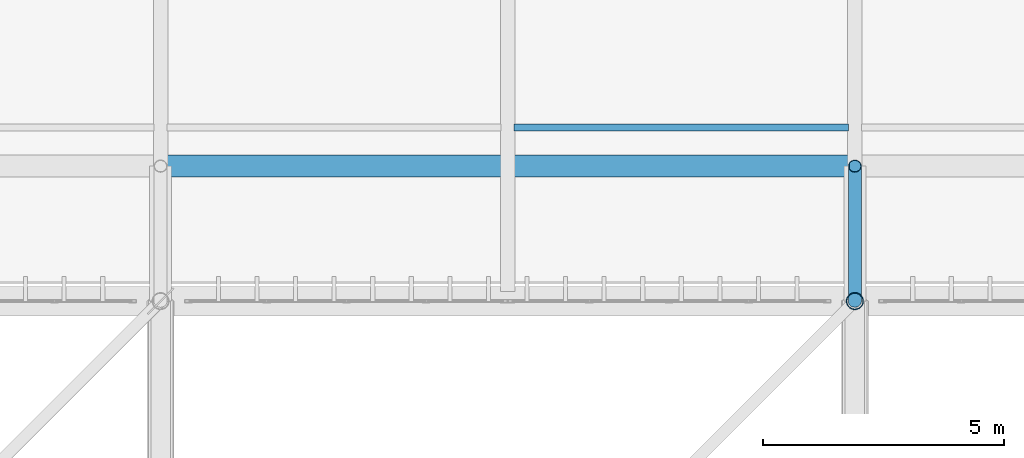
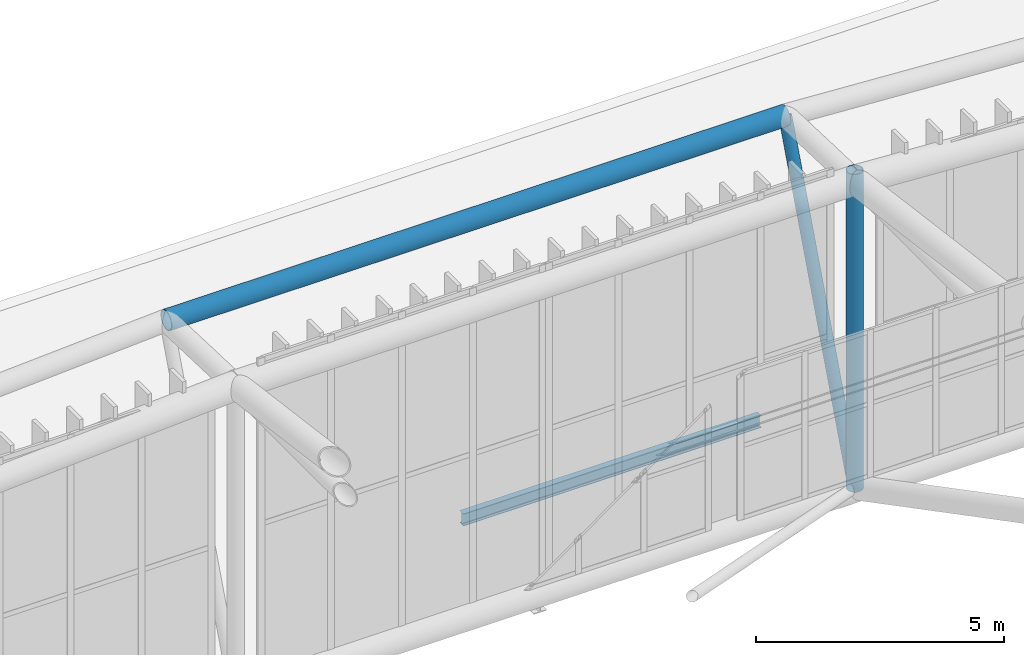
# One storey, part 324 of 397: 2 beams, 2 members.
"""IFC4 building model written with IfcOpenShell, lengths in metres."""

from ifc_helpers import new_model, si_unit, direction, frame, origin, origin_2d, place, context, subcontext, project, spatial, hollow_circle, i_section, extrude, material, material_profile, profile_set, type_object, element, save


model = new_model("IFC4")

# Units and contexts
model_context = context("Model", 3, precision=1e-05, world=origin(), true_north=direction((0.0, 1.0)))
body_context = subcontext(model_context, "Body", "Model", "MODEL_VIEW")
ifc_project = project(units=[si_unit("LENGTHUNIT", "METRE"), si_unit("AREAUNIT", "SQUARE_METRE"), si_unit("VOLUMEUNIT", "CUBIC_METRE"), si_unit("PLANEANGLEUNIT", "RADIAN"), si_unit("MASSUNIT", "GRAM", prefix="KILO")], contexts=[model_context])

# Site, building, storey
site_placement = place(None, origin())
site = spatial("IfcSite", under=ifc_project, at=site_placement, CompositionType="ELEMENT")
building_placement = place(site_placement, origin())
building = spatial("IfcBuilding", under=site, at=building_placement, Name="Qandorah Velis Arena", CompositionType="ELEMENT")
storey_placement = place(building_placement, frame((0.0, 0.0, 27.5)))
storey = spatial("IfcBuildingStorey", under=building, at=storey_placement, Name="RF", CompositionType="ELEMENT", Elevation=27.5)

# Beams
ifc_material = material(Name="Steel S355", Category="steel")
ifc_material_profile_1 = material_profile(ifc_material, i_section(OverallWidth=0.14990234375, OverallDepth=0.300048828125, WebThickness=0.007080078125, FlangeThickness=0.0107421875, FilletRadius=0.014892578125, at=origin_2d()), Name="IPE 300")
ifc_profile_set_1 = profile_set([ifc_material_profile_1], Name="Steel S355")
beam_type_1 = type_object("IfcBeamType", Name="STR-JST-IPE300", PredefinedType="JOIST", material=ifc_profile_set_1)
beam_1_placement = place(storey_placement, frame((64.93505859375, 118.800048828125, -0.3701171875), z_axis=(1.0, 0.0, 0.0), x_axis=(0.0, 1.0, 0.0)))
element("IfcBeam", 1, at=beam_1_placement, inside=storey, type_object=beam_type_1, Name="Secondary floor joist RF-035", PredefinedType="JOIST", context=body_context, shape_type="SweptSolid", body=[
    extrude(i_section(OverallWidth=0.14990234375, OverallDepth=0.300048828125, WebThickness=0.007080078125, FlangeThickness=0.0107421875, FilletRadius=0.014892578125, at=origin_2d()), origin(), (0.0, 0.0, 1.0), 6.929931640625),
])
ifc_material_profile_2 = material_profile(ifc_material, hollow_circle(Radius=0.228515625, WallThickness=0.01611328125, at=origin_2d()), Name="CHS 457x16")
ifc_profile_set_2 = profile_set([ifc_material_profile_2], Name="Steel S355")
beam_type_2 = type_object("IfcBeamType", Name="STR-SFC-CHS457X16", PredefinedType="USERDEFINED", material=ifc_profile_set_2)
beam_2_placement = place(storey_placement, frame((57.60009765625, 118.0, 7.555908203125), z_axis=(1.0, 0.0, 0.0), x_axis=(0.0, 1.0, 0.0)))
element("IfcBeam", 2, at=beam_2_placement, inside=storey, type_object=beam_type_2, Name="Space frame eave fascia ring N-3", ObjectType="ROOF TRUSS", PredefinedType="USERDEFINED", context=body_context, shape_type="SweptSolid", body=[
    extrude(hollow_circle(Radius=0.228515625, WallThickness=0.01611328125, at=origin_2d()), origin(), (0.0, 0.0, 1.0), 14.39990234375),
])

# Members
ifc_material_profile_3 = material_profile(ifc_material, hollow_circle(Radius=0.136474609375, WallThickness=0.012451171875, at=origin_2d()), Name="CHS 273x12.5")
ifc_profile_set_3 = profile_set([ifc_material_profile_3], Name="Steel S355")
member_type_1 = type_object("IfcMemberType", Name="STR-SFD-CHS273X12", PredefinedType="STRUT", material=ifc_profile_set_3)
member_1_placement = place(storey_placement, frame((72.0, 115.199951171875, 0.10009765625), z_axis=(0.0, 0.351576919623, 0.936158998028), x_axis=(-1.0, 0.0, 0.0)))
element("IfcMember", 3, at=member_1_placement, inside=storey, type_object=member_type_1, Name="Space frame eave raking strut N-4", PredefinedType="STRUT", context=body_context, shape_type="SweptSolid", body=[
    extrude(hollow_circle(Radius=0.136474609375, WallThickness=0.012451171875, at=origin_2d()), origin(), (0.0, 0.0, 1.0), 7.96435546875),
])
ifc_material_profile_4 = material_profile(ifc_material, hollow_circle(Radius=0.177734375, WallThickness=0.012451171875, at=origin_2d()), Name="CHS 355.6x12.5")
ifc_profile_set_4 = profile_set([ifc_material_profile_4], Name="Steel S355")
member_type_2 = type_object("IfcMemberType", Name="STR-SFD-CHS355X12", PredefinedType="STRUT", material=ifc_profile_set_4)
member_2_placement = place(storey_placement, frame((72.0, 115.199951171875, 0.10009765625), z_axis=(0.0, 0.0, 1.0), x_axis=(1.0, 0.0, 0.0)))
element("IfcMember", 4, at=member_2_placement, inside=storey, type_object=member_type_2, Name="Space frame roof vertical post 4.7", PredefinedType="STRUT", context=body_context, shape_type="SweptSolid", body=[
    extrude(hollow_circle(Radius=0.177734375, WallThickness=0.012451171875, at=origin_2d()), origin(), (0.0, 0.0, 1.0), 7.815673828125),
])

save(model, "model.ifc")
